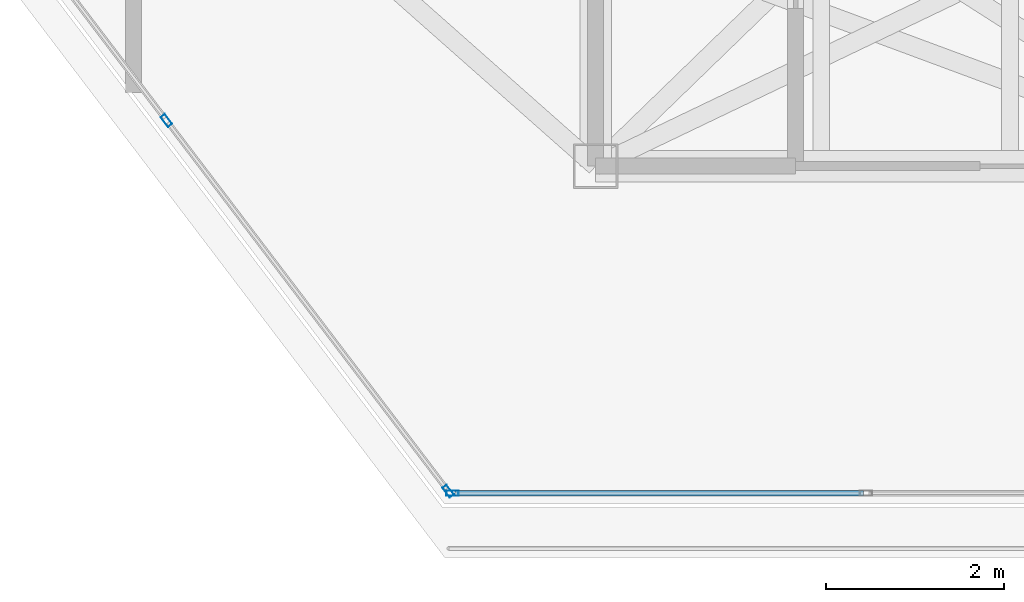
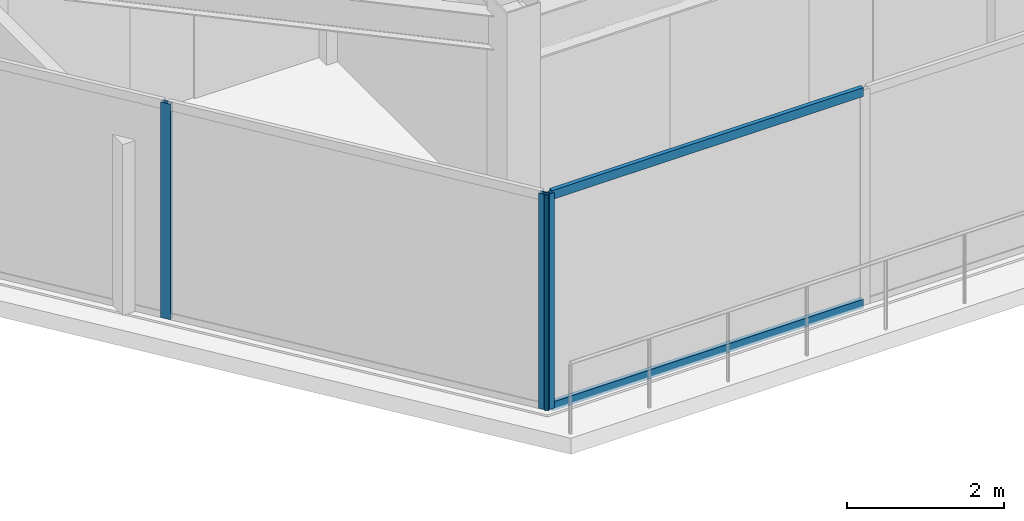
# One storey, part 4 of 17: 5 members, 2 elements without a shape of their own.
"""IFC4 building model written with IfcOpenShell, lengths in metres."""

from ifc_helpers import new_model, si_unit, direction, frame, origin, origin_2d, place, context, subcontext, project, spatial, hollow_rectangle, extrude, material, layer, layer_set, material_profile, profile_set, type_object, element, aggregate, save


model = new_model("IFC4")

# Units and contexts
model_context = context("Model", 3, precision=1e-05, world=origin(), true_north=direction((0.0, 1.0)))
body_context = subcontext(model_context, "Body", "Model", "MODEL_VIEW")
ifc_project = project(units=[si_unit("LENGTHUNIT", "METRE"), si_unit("AREAUNIT", "SQUARE_METRE"), si_unit("VOLUMEUNIT", "CUBIC_METRE"), si_unit("PLANEANGLEUNIT", "RADIAN"), si_unit("MASSUNIT", "GRAM", prefix="KILO")], contexts=[model_context])

# Site, building, storey
site_placement = place(None, origin())
site = spatial("IfcSite", under=ifc_project, at=site_placement, CompositionType="ELEMENT")
building_placement = place(site_placement, origin())
building = spatial("IfcBuilding", under=site, at=building_placement, Name="Kravanh Interchange Tower", CompositionType="ELEMENT")
storey_placement = place(building_placement, frame((0.0, 0.0, 263.39990234375)))
storey = spatial("IfcBuildingStorey", under=building, at=storey_placement, Name="L64", CompositionType="ELEMENT", Elevation=263.39990234375)

# Curtain wall, member
ifc_material_1 = material(Name="Anodised Bronze Aluminium", Category="aluminium")
ifc_layer = layer(ifc_material_1, 0.179931640625)
ifc_layer_set = layer_set([ifc_layer], Name="Unitised Curtain Wall System CW-HTL Luxury Hotel")
curtain_wall_type = type_object("IfcCurtainWallType", Name="Unitised Curtain Wall System CW-HTL Luxury Hotel", PredefinedType="NOTDEFINED", material=ifc_layer_set)
curtain_wall_1_placement = place(storey_placement, origin())
curtain_wall_1 = element("IfcCurtainWall", 1, at=curtain_wall_1_placement, inside=storey, type_object=curtain_wall_type, Name="L64 Unitised Curtain Wall CW-L64-03", PredefinedType="NOTDEFINED")
ifc_material_2 = material(Name="Anodised Bronze Aluminium", Category="aluminium")
ifc_material_profile_1 = material_profile(ifc_material_2, hollow_rectangle(XDim=0.06005859375, YDim=0.139892578125, WallThickness=0.00390625, at=origin_2d()), Name="ALU60X140X4")
ifc_profile_set_1 = profile_set([ifc_material_profile_1], Name="Anodised Bronze Aluminium")
member_type_1 = type_object("IfcMemberType", Name="Curtain Wall Mullion ALU60X140X4 Bronze", PredefinedType="MULLION", material=ifc_profile_set_1)
member_1_placement = place(storey_placement, frame((54.389404296875, 18.52001953125, 0.0), z_axis=(0.0, 0.0, 1.0), x_axis=(0.0, -1.0, 0.0)))
member_1 = element("IfcMember", 2, at=member_1_placement, type_object=member_type_1, Name="CW-HTL mullion 3", PredefinedType="MULLION", context=body_context, shape_type="SweptSolid", body=[
    extrude(hollow_rectangle(XDim=0.06005859375, YDim=0.139892578125, WallThickness=0.00390625, at=origin_2d()), origin(), (0.0, 0.0, 1.0), 3.360107421875),
])

# Curtain wall, members
curtain_wall_2_placement = place(storey_placement, origin())
curtain_wall_2 = element("IfcCurtainWall", 3, at=curtain_wall_2_placement, inside=storey, type_object=curtain_wall_type, Name="L64 Unitised Curtain Wall CW-L64-04", PredefinedType="NOTDEFINED")
member_2_placement = place(storey_placement, frame((54.34130859375, 18.5439453125, 0.0), z_axis=(0.0, 0.0, 1.0), x_axis=(-0.79616243806, -0.605082946564, 0.0)))
member_2 = element("IfcMember", 4, at=member_2_placement, type_object=member_type_1, Name="CW-HTL mullion 1", PredefinedType="MULLION", context=body_context, shape_type="SweptSolid", body=[
    extrude(hollow_rectangle(XDim=0.06005859375, YDim=0.139892578125, WallThickness=0.00390625, at=origin_2d()), origin(), (0.0, 0.0, 1.0), 3.360107421875),
])
member_3_placement = place(storey_placement, frame((51.173095703125, 22.712646484375, 0.0), z_axis=(0.0, 0.0, 1.0), x_axis=(-0.79616243806, -0.605082946564, 0.0)))
member_3 = element("IfcMember", 5, at=member_3_placement, type_object=member_type_1, Name="CW-HTL mullion 2", PredefinedType="MULLION", context=body_context, shape_type="SweptSolid", body=[
    extrude(hollow_rectangle(XDim=0.06005859375, YDim=0.139892578125, WallThickness=0.00390625, at=origin_2d()), origin(), (0.0, 0.0, 1.0), 3.360107421875),
])
aggregate(curtain_wall_2, [member_2, member_3])

# Member
ifc_material_3 = material(Name="Anodised Bronze Aluminium", Category="aluminium")
ifc_material_profile_2 = material_profile(ifc_material_3, hollow_rectangle(XDim=0.06005859375, YDim=0.139892578125, WallThickness=0.00390625, at=origin_2d()), Name="ALU60X140X4")
ifc_profile_set_2 = profile_set([ifc_material_profile_2], Name="Anodised Bronze Aluminium")
member_type_2 = type_object("IfcMemberType", Name="Curtain Wall Transom ALU60X140X4 Bronze", PredefinedType="USERDEFINED", material=ifc_profile_set_2)
member_4_placement = place(storey_placement, frame((59.01220703125, 18.52001953125, 0.030029296875), z_axis=(-1.0, 0.0, 0.0), x_axis=(0.0, -1.0, 0.0)))
member_4 = element("IfcMember", 6, at=member_4_placement, type_object=member_type_2, Name="CW-HTL transom 2.1", ObjectType="TRANSOM", PredefinedType="USERDEFINED", context=body_context, shape_type="SweptSolid", body=[
    extrude(hollow_rectangle(XDim=0.06005859375, YDim=0.139892578125, WallThickness=0.00390625, at=origin_2d()), origin(), (0.0, 0.0, 1.0), 4.5927734375),
])

member_5_placement = place(storey_placement, frame((59.01220703125, 18.52001953125, 3.330078125), z_axis=(-1.0, 0.0, 0.0), x_axis=(0.0, -1.0, 0.0)))
member_5 = element("IfcMember", 7, at=member_5_placement, type_object=member_type_2, Name="CW-HTL transom 2.2", ObjectType="TRANSOM", PredefinedType="USERDEFINED", context=body_context, shape_type="SweptSolid", body=[
    extrude(hollow_rectangle(XDim=0.06005859375, YDim=0.139892578125, WallThickness=0.00390625, at=origin_2d()), origin(), (0.0, 0.0, 1.0), 4.5927734375),
])

aggregate(curtain_wall_1, [member_1, member_4, member_5])

save(model, "model.ifc")
